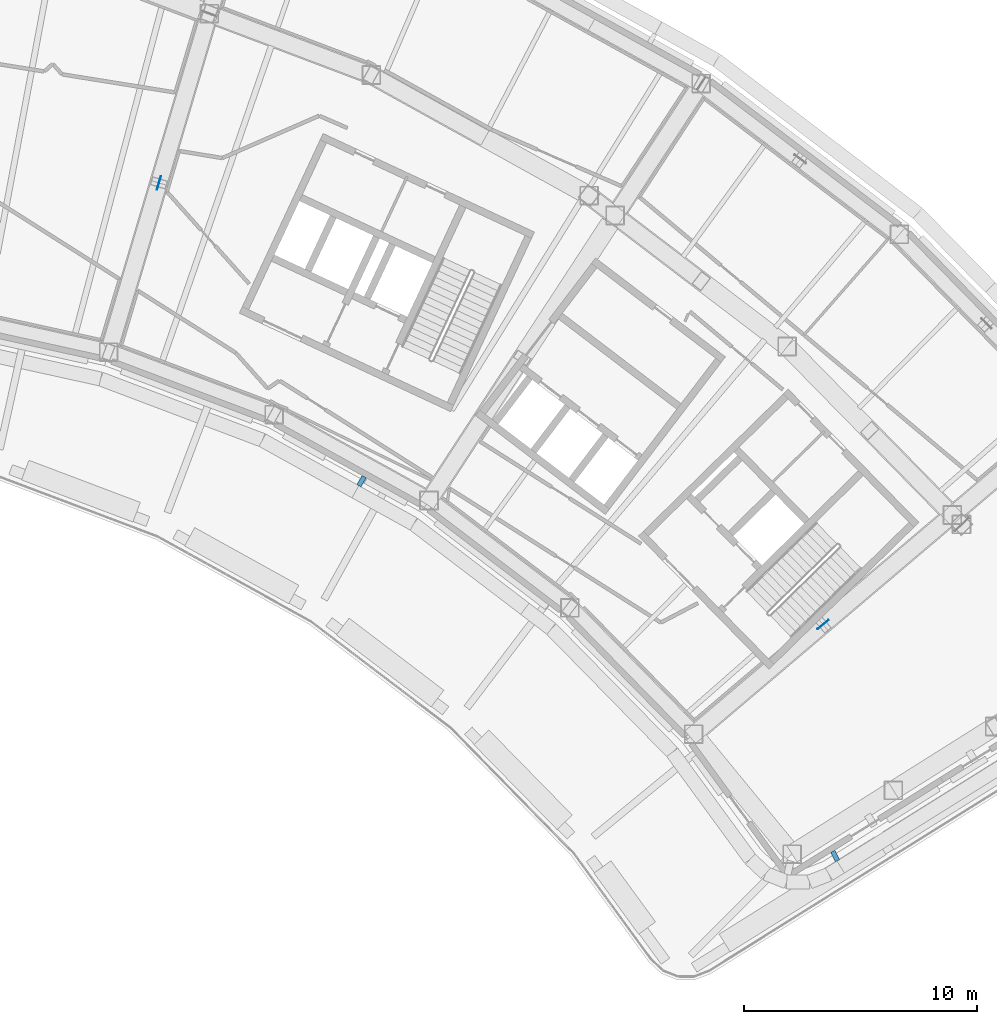
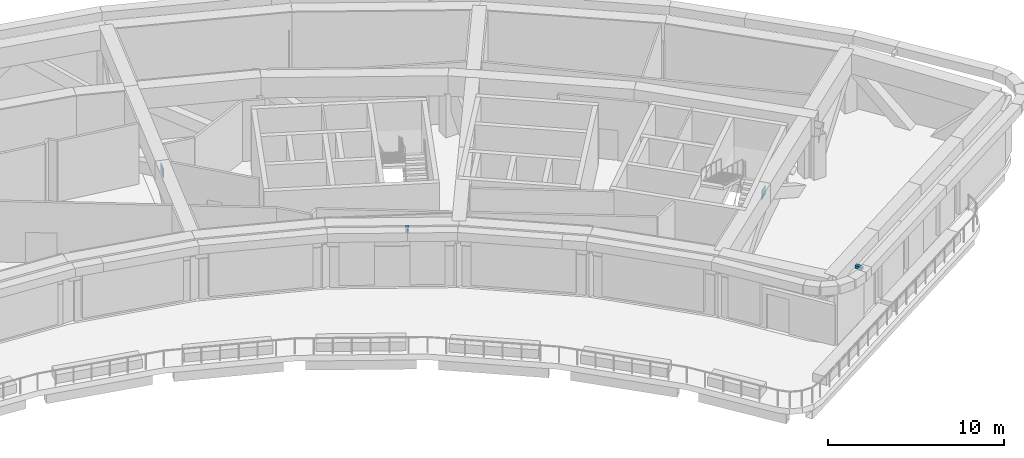
# One storey, part 17 of 25: 4 discrete accessories.
"""IFC4 building model written with IfcOpenShell, lengths in metres."""

from ifc_helpers import new_model, si_unit, direction, frame, origin, origin_2d, place, context, subcontext, project, spatial, rectangle, extrude, material, type_object, element, save


model = new_model("IFC4")

# Units and contexts
model_context = context("Model", 3, precision=1e-05, world=origin(), true_north=direction((0.0, 1.0)))
body_context = subcontext(model_context, "Body", "Model", "MODEL_VIEW")
ifc_project = project(units=[si_unit("LENGTHUNIT", "METRE"), si_unit("AREAUNIT", "SQUARE_METRE"), si_unit("VOLUMEUNIT", "CUBIC_METRE"), si_unit("PLANEANGLEUNIT", "RADIAN"), si_unit("MASSUNIT", "GRAM", prefix="KILO")], contexts=[model_context])

# Site, building, storey
site_placement = place(None, origin())
site = spatial("IfcSite", under=ifc_project, at=site_placement, CompositionType="ELEMENT")
building_placement = place(site_placement, origin())
building = spatial("IfcBuilding", under=site, at=building_placement, Name="Tuul Gate Civic Tower", CompositionType="ELEMENT")
storey_placement = place(building_placement, frame((0.0, 0.0, 60.89990234375)))
storey = spatial("IfcBuildingStorey", under=building, at=storey_placement, Name="Plant and refuge floor 2", CompositionType="ELEMENT", Elevation=60.89990234375)

# Discrete accessories
ifc_material_1 = material(Name="Steel S355", Category="steel")
discrete_accessory_type_1 = type_object("IfcDiscreteAccessoryType", Name="Gusset plate", PredefinedType="BRACKET", material=ifc_material_1)
for number, where, z_axis, x_axis, name in (
    (1, (50.434326171875, -16.517333984375, 3.20263671875), (0.0, 0.0, 1.0), (0.76282474496, 0.646605295738, 0.0), "Gusset plate"),
    (2, (21.953369140625, 2.425048828125, 3.20263671875), (0.0, 0.0, 1.0), (0.285224909945, 0.958460615126, 0.0), "Gusset plate"),
):
    element("IfcDiscreteAccessory", number, at=place(storey_placement, frame(where, z_axis=z_axis, x_axis=x_axis)), inside=storey, type_object=discrete_accessory_type_1, Name=name, PredefinedType="BRACKET", context=body_context, shape_type="SweptSolid", body=[
        extrude(rectangle(XDim=0.60009765625, YDim=0.030029296875, at=origin_2d()), origin(), (0.0, 0.0, 1.0), 0.60009765625),
    ])
ifc_material_2 = material(Name="Stainless steel", Category="steel")
discrete_accessory_type_2 = type_object("IfcDiscreteAccessoryType", Name="Screen bracket", PredefinedType="BRACKET", material=ifc_material_2)
discrete_accessory_1_placement = place(storey_placement, frame((30.6435546875, -10.366455078125, 4.05029296875), z_axis=(0.0, 0.0, 1.0), x_axis=(-0.499369572353, -0.866389075536, 0.0)))
element("IfcDiscreteAccessory", 3, at=discrete_accessory_1_placement, inside=storey, type_object=discrete_accessory_type_2, Name="Screen bracket 28", PredefinedType="BRACKET", context=body_context, shape_type="SweptSolid", body=[
    extrude(rectangle(XDim=0.4501953125, YDim=0.199951171875, at=origin_2d()), origin(), (0.0, 0.0, 1.0), 0.199951171875),
])
discrete_accessory_2_placement = place(storey_placement, frame((50.953857421875, -26.445068359375, 4.05029296875), z_axis=(0.0, 0.0, 1.0), x_axis=(0.453848979937, -0.891078617974, 0.0)))
element("IfcDiscreteAccessory", 4, at=discrete_accessory_2_placement, inside=storey, type_object=discrete_accessory_type_2, Name="Screen bracket 31", PredefinedType="BRACKET", context=body_context, shape_type="SweptSolid", body=[
    extrude(rectangle(XDim=0.45166015625, YDim=0.199951171875, at=origin_2d()), origin(), (0.0, 0.0, 1.0), 0.199951171875),
])

save(model, "model.ifc")
